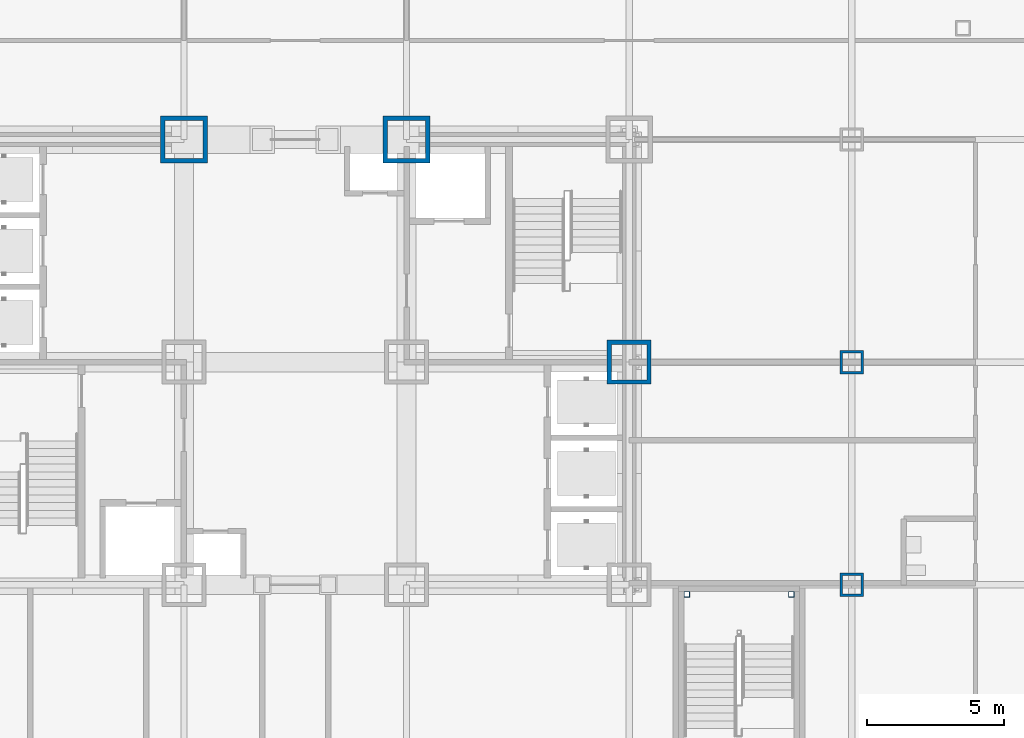
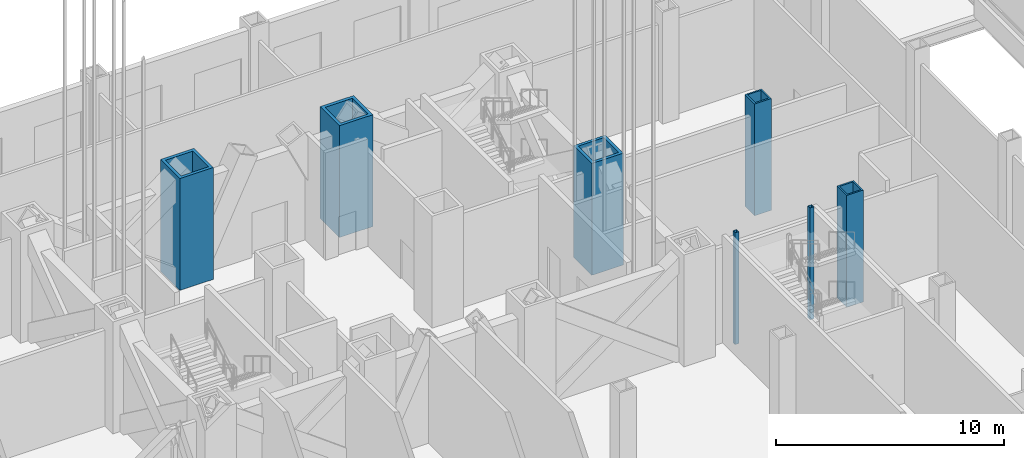
# One storey, part 7 of 35: 7 columns.
"""IFC4 building model written with IfcOpenShell, lengths in metres."""

from ifc_helpers import new_model, si_unit, direction, frame, origin, origin_2d, place, context, subcontext, project, spatial, hollow_rectangle, extrude, material, material_profile, profile_set, type_object, element, save


model = new_model("IFC4")

# Units and contexts
model_context = context("Model", 3, precision=1e-05, world=origin(), true_north=direction((0.0, 1.0)))
body_context = subcontext(model_context, "Body", "Model", "MODEL_VIEW")
ifc_project = project(units=[si_unit("LENGTHUNIT", "METRE"), si_unit("AREAUNIT", "SQUARE_METRE"), si_unit("VOLUMEUNIT", "CUBIC_METRE"), si_unit("PLANEANGLEUNIT", "RADIAN"), si_unit("MASSUNIT", "GRAM", prefix="KILO")], contexts=[model_context])

# Site, building, storey
site_placement = place(None, origin())
site = spatial("IfcSite", under=ifc_project, at=site_placement, CompositionType="ELEMENT")
building_placement = place(site_placement, origin())
building = spatial("IfcBuilding", under=site, at=building_placement, Name="Kopane Lantern Tower", CompositionType="ELEMENT")
storey_placement = place(building_placement, origin())
storey = spatial("IfcBuildingStorey", under=building, at=storey_placement, Name="L00", CompositionType="ELEMENT", Elevation=0.0)

# Columns
ifc_material_1 = material(Name="Steel S355JR", Category="steel")
ifc_material_profile_1 = material_profile(ifc_material_1, hollow_rectangle(XDim=1.60009765625, YDim=1.60009765625, WallThickness=0.14990234375, at=origin_2d()), Name="BOX 1600x1600x150")
ifc_profile_set_1 = profile_set([ifc_material_profile_1], Name="Steel S355JR")
column_type_1 = type_object("IfcColumnType", Name="COLUMN BOX 1600x1600x150", PredefinedType="COLUMN", material=ifc_profile_set_1)
column_placement = place(storey_placement, frame((40.5, 32.39990234375, 0.0), z_axis=(0.0, 0.0, 1.0), x_axis=(1.0, 0.0, 0.0)))
element("IfcColumn", 1, at=column_placement, inside=storey, type_object=column_type_1, Name="Column 7/F L00", PredefinedType="COLUMN", context=body_context, shape_type="SweptSolid", body=[
    extrude(hollow_rectangle(XDim=1.60009765625, YDim=1.60009765625, WallThickness=0.14990234375, at=origin_2d()), origin(), (0.0, 0.0, 1.0), 6.0),
])
ifc_material_2 = material(Name="Steel S355JR", Category="steel")
ifc_material_profile_2 = material_profile(ifc_material_2, hollow_rectangle(XDim=1.699951171875, YDim=1.699951171875, WallThickness=0.159912109375, at=origin_2d()), Name="BOX 1700x1700x160")
ifc_profile_set_2 = profile_set([ifc_material_profile_2], Name="Steel S355JR")
column_type_2 = type_object("IfcColumnType", Name="COLUMN BOX 1700x1700x160", PredefinedType="COLUMN", material=ifc_profile_set_2)
for number, where, z_axis, x_axis, name in (
    (2, (24.300048828125, 40.5, 0.0), (0.0, 0.0, 1.0), (1.0, 0.0, 0.0), "Column 5/G L00"),
    (3, (32.39990234375, 40.5, 0.0), (0.0, 0.0, 1.0), (1.0, 0.0, 0.0), "Column 6/G L00"),
):
    element("IfcColumn", number, at=place(storey_placement, frame(where, z_axis=z_axis, x_axis=x_axis)), inside=storey, type_object=column_type_2, Name=name, PredefinedType="COLUMN", context=body_context, shape_type="SweptSolid", body=[
        extrude(hollow_rectangle(XDim=1.699951171875, YDim=1.699951171875, WallThickness=0.159912109375, at=origin_2d()), origin(), (0.0, 0.0, 1.0), 6.0),
    ])
ifc_material_3 = material(Name="Steel S355JR", Category="steel")
ifc_material_profile_3 = material_profile(ifc_material_3, hollow_rectangle(XDim=0.85009765625, YDim=0.85009765625, WallThickness=0.0849609375, at=origin_2d()), Name="BOX 850x850x85")
ifc_profile_set_3 = profile_set([ifc_material_profile_3], Name="Steel S355JR")
column_type_3 = type_object("IfcColumnType", Name="COLUMN BOX 850x850x85", PredefinedType="COLUMN", material=ifc_profile_set_3)
for number, where, z_axis, x_axis, name in (
    (4, (48.60009765625, 24.300048828125, 0.0), (0.0, 0.0, 1.0), (1.0, 0.0, 0.0), "Column 8/E L00"),
    (5, (48.60009765625, 32.39990234375, 0.0), (0.0, 0.0, 1.0), (1.0, 0.0, 0.0), "Column 8/F L00"),
):
    element("IfcColumn", number, at=place(storey_placement, frame(where, z_axis=z_axis, x_axis=x_axis)), inside=storey, type_object=column_type_3, Name=name, PredefinedType="COLUMN", context=body_context, shape_type="SweptSolid", body=[
        extrude(hollow_rectangle(XDim=0.85009765625, YDim=0.85009765625, WallThickness=0.0849609375, at=origin_2d()), origin(), (0.0, 0.0, 1.0), 6.0),
    ])
ifc_material_4 = material(Name="Steel S355JR", Category="steel")
ifc_material_profile_4 = material_profile(ifc_material_4, hollow_rectangle(XDim=0.199951171875, YDim=0.199951171875, WallThickness=0.011962890625, at=origin_2d()), Name="BOX 200x200x12")
ifc_profile_set_4 = profile_set([ifc_material_profile_4], Name="Steel S355JR")
column_type_4 = type_object("IfcColumnType", Name="STAIR POST BOX 200x200x12", PredefinedType="COLUMN", material=ifc_profile_set_4)
for number, where, z_axis, x_axis, name in (
    (6, (42.60009765625, 23.949951171875, 0.0), (0.0, 0.0, 1.0), (1.0, 0.0, 0.0), "Stair post ST4 NW L00"),
    (7, (46.39990234375, 23.949951171875, 0.0), (0.0, 0.0, 1.0), (1.0, 0.0, 0.0), "Stair post ST4 NE L00"),
):
    element("IfcColumn", number, at=place(storey_placement, frame(where, z_axis=z_axis, x_axis=x_axis)), inside=storey, type_object=column_type_4, Name=name, PredefinedType="COLUMN", context=body_context, shape_type="SweptSolid", body=[
        extrude(hollow_rectangle(XDim=0.199951171875, YDim=0.199951171875, WallThickness=0.011962890625, at=origin_2d()), origin(), (0.0, 0.0, 1.0), 6.0),
    ])

save(model, "model.ifc")
